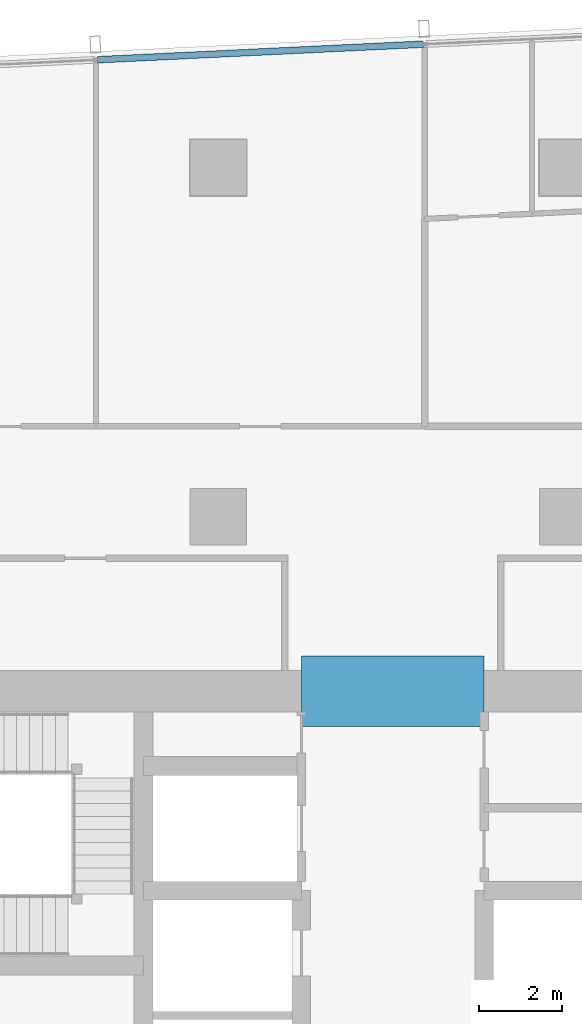
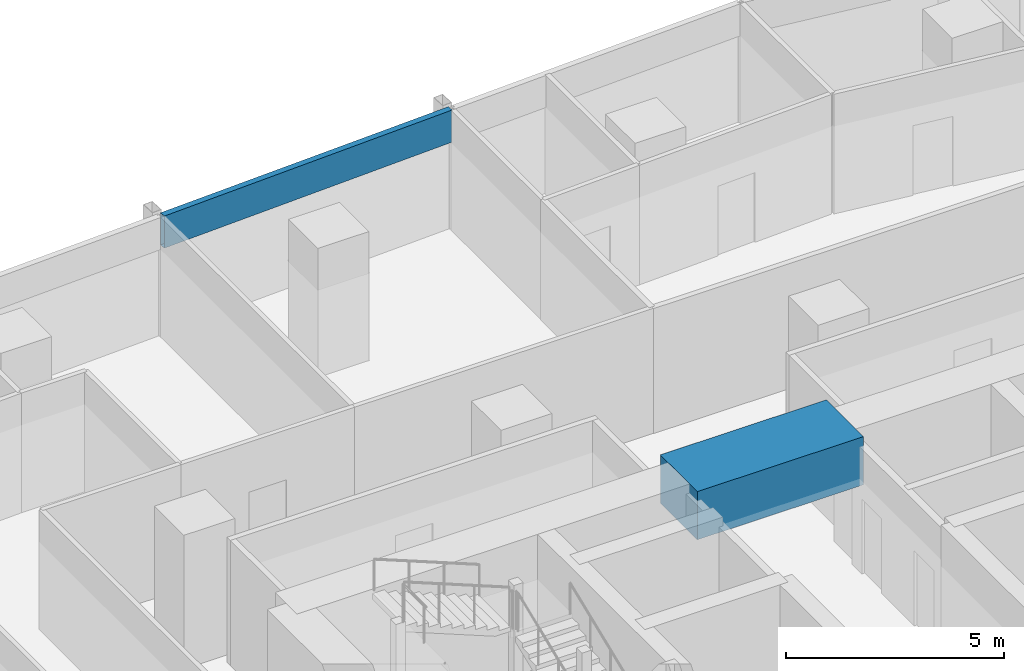
# One storey, part 20 of 38: 1 beam, 1 member, 1 element without a shape of its own.
"""IFC4 building model written with IfcOpenShell, lengths in metres."""

import ifcopenshell
import ifcopenshell.guid

model = None  # the IFC model being written
_history = None  # IfcOwnerHistory: only IFC2X3 demands one
_inside = {}  # id of a spatial element -> (the spatial element, [elements in it])
_under = {}  # id of a project, library or spatial element -> (it, [spatial elements below it])
_declared = {}  # id of a project -> (the project, [libraries it declares])
_typed = {}  # id of a type object -> (the type object, [elements of that type])
_made_of = {}  # id of a material, layer set ... -> (it, [elements and type objects made of it])


def new_model(schema):
    """Start an empty IFC model of exactly this schema.

    Asked for "IFC4X3", IfcOpenShell would pick the latest addendum, in which some entities
    have other attributes; the version numbers below select the first issue.
    IFC2X3 requires an IfcOwnerHistory on every rooted entity: one is made here for all.
    """
    global model, _history
    if schema == "IFC4X3":
        model = ifcopenshell.file(schema_version=(4, 3, 0, 0))
    else:
        model = ifcopenshell.file(schema=schema)
    _inside.clear()
    _under.clear()
    _declared.clear()
    _typed.clear()
    _made_of.clear()
    _history = None
    if model.schema == "IFC2X3":
        org = make("IfcOrganization", Name="unknown")
        user = make(
            "IfcPersonAndOrganization",
            ThePerson=make("IfcPerson", FamilyName="unknown"),
            TheOrganization=org,
        )
        app = make(
            "IfcApplication",
            ApplicationDeveloper=org,
            Version="unknown",
            ApplicationFullName="unknown",
            ApplicationIdentifier="unknown",
        )
        _history = make(
            "IfcOwnerHistory",
            OwningUser=user,
            OwningApplication=app,
            ChangeAction="ADDED",
            CreationDate=0,
        )
    return model


def make(cls, **values):
    """One entity of the class cls with the attributes given. An attribute that is None is left unset."""
    return model.create_entity(
        cls, **{name: value for name, value in values.items() if value is not None}
    )


def rooted(cls, **values):
    """An entity with a GlobalId (a new one), such as an element, a storey or a relation."""
    return make(cls, GlobalId=ifcopenshell.guid.new(), OwnerHistory=_history, **values)


def si_unit(unit_type, name, prefix=None):
    """IfcSIUnit, for example si_unit("LENGTHUNIT", "METRE", prefix="MILLI")."""
    return make("IfcSIUnit", UnitType=unit_type, Prefix=prefix, Name=name)


def assignment(units):
    """IfcUnitAssignment: the units of a project."""
    return None if units is None else make("IfcUnitAssignment", Units=units)


def point(xyz):
    """IfcCartesianPoint."""
    return None if xyz is None else make("IfcCartesianPoint", Coordinates=xyz)


def direction(xyz):
    """IfcDirection."""
    return None if xyz is None else make("IfcDirection", DirectionRatios=xyz)


def frame(location, z_axis=None, x_axis=None):
    """IfcAxis2Placement3D, a coordinate frame: its origin and axes. An axis left out is left unset."""
    return make(
        "IfcAxis2Placement3D",
        Location=point(location),
        Axis=direction(z_axis),
        RefDirection=direction(x_axis),
    )


def frame_2d(location, x_axis=None):
    """IfcAxis2Placement2D, a coordinate frame in the plane: its origin and x axis."""
    return make(
        "IfcAxis2Placement2D", Location=point(location), RefDirection=direction(x_axis)
    )


def origin():
    """The frame at (0, 0, 0) with its axes left unset."""
    return frame((0.0, 0.0, 0.0))


def origin_2d():
    """The frame at (0, 0) in the plane with its x axis left unset."""
    return frame_2d((0.0, 0.0))


def place(relative_to, where):
    """IfcLocalPlacement: puts the frame where relative to a parent placement (None: the world)."""
    return make(
        "IfcLocalPlacement", PlacementRelTo=relative_to, RelativePlacement=where
    )


def context(
    kind, dimensions, precision=None, world=None, true_north=None, identifier=None
):
    """IfcGeometricRepresentationContext, for example the 3D "Model" context."""
    return make(
        "IfcGeometricRepresentationContext",
        ContextIdentifier=identifier,
        ContextType=kind,
        CoordinateSpaceDimension=dimensions,
        Precision=precision,
        WorldCoordinateSystem=world,
        TrueNorth=true_north,
    )


def subcontext(parent, identifier, kind, view, scale=None):
    """IfcGeometricRepresentationSubContext, for example "Body" below "Model"."""
    return make(
        "IfcGeometricRepresentationSubContext",
        ContextIdentifier=identifier,
        ContextType=kind,
        ParentContext=parent,
        TargetScale=scale,
        TargetView=view,
    )


def project(units=None, contexts=None):
    """IfcProject with its units and contexts."""
    return rooted(
        "IfcProject",
        Name="project",
        RepresentationContexts=contexts,
        UnitsInContext=assignment(units),
    )


def spatial(cls, under=None, at=None, **own):
    """A site, building, storey or space (cls), placed at a placement, below another one or the project."""
    s = rooted(cls, ObjectPlacement=at, **own)
    if under is not None:
        _under.setdefault(under.id(), (under, []))[1].append(s)
    return s


def profile(cls, at=None, kind="AREA", **sizes):
    """A parametric profile (cls). Its sizes go by their IFC names, for example OverallWidth=200.0."""
    return make(cls, ProfileType=kind, Position=at, **sizes)


def rectangle(**sizes):
    """IfcRectangleProfileDef."""
    return profile("IfcRectangleProfileDef", **sizes)


def hollow_rectangle(**sizes):
    """IfcRectangleHollowProfileDef."""
    return profile("IfcRectangleHollowProfileDef", **sizes)


def extrude(swept, where, along, depth):
    """IfcExtrudedAreaSolid: the profile swept, set in the frame where, extruded along a direction by depth."""
    return make(
        "IfcExtrudedAreaSolid",
        SweptArea=swept,
        Position=where,
        ExtrudedDirection=direction(along),
        Depth=depth,
    )


def shape(context_of_items, identifier, shape_type, items):
    """IfcShapeRepresentation: the items that make up one representation, for example the "Body"."""
    return make(
        "IfcShapeRepresentation",
        ContextOfItems=context_of_items,
        RepresentationIdentifier=identifier,
        RepresentationType=shape_type,
        Items=items,
    )


def material(Name=None, Category=None):
    """IfcMaterial."""
    return make("IfcMaterial", Name=Name, Category=Category)


def material_profile(
    of_material, cross_section, Name=None, Category=None, Priority=None
):
    """IfcMaterialProfile: a cross section and its material."""
    return make(
        "IfcMaterialProfile",
        Name=Name,
        Material=of_material,
        Profile=cross_section,
        Priority=Priority,
        Category=Category,
    )


def profile_set(profiles, Name=None, composite=None):
    """IfcMaterialProfileSet."""
    return make(
        "IfcMaterialProfileSet",
        Name=Name,
        MaterialProfiles=profiles,
        CompositeProfile=composite,
    )


def made_of(thing, what):
    """Note that an element or type object is made of a material, layer set ...; save() writes the relation."""
    if what is not None:
        _made_of.setdefault(what.id(), (what, []))[1].append(thing)
    return thing


def type_object(cls, material=None, **own):
    """A type object (cls), such as IfcWallType, which elements share."""
    return made_of(rooted(cls, **own), material)


def element(
    cls,
    number,
    at=None,
    inside=None,
    cuts=None,
    type_object=None,
    material=None,
    context=None,
    identifier="Body",
    shape_type=None,
    held_by="IfcProductDefinitionShape",
    body=None,
    shapes=None,
    **own,
):
    """One element of the class cls, such as IfcWall. Its Tag is "e" and its number.

    at: its placement. inside: the storey or other place that contains it. cuts: it is an
    opening in that element (IfcRelVoidsElement). A single representation is given by context,
    identifier, shape_type and body (its items); several are given by shapes. held_by: the class
    of the entity that holds the representations. save() writes the other relations.
    """
    e = rooted(cls, Tag="e%d" % number, ObjectPlacement=at, **own)
    if body is not None:
        shapes = [shape(context, identifier, shape_type, body)]
    if shapes is not None:
        e.Representation = make(held_by, Representations=shapes)
    if inside is not None:
        _inside.setdefault(inside.id(), (inside, []))[1].append(e)
    if cuts is not None:
        rooted(
            "IfcRelVoidsElement", RelatingBuildingElement=cuts, RelatedOpeningElement=e
        )
    if type_object is not None:
        _typed.setdefault(type_object.id(), (type_object, []))[1].append(e)
    return made_of(e, material)


def aggregate(whole, parts):
    """IfcRelAggregates: a whole, such as a stair, and the parts it consists of."""
    return rooted("IfcRelAggregates", RelatingObject=whole, RelatedObjects=parts)


def save(model, path):
    """Write the relations noted so far, then the file.

    IfcRelAggregates (storeys below a building ...), IfcRelContainedInSpatialStructure (elements
    in a storey), IfcRelDefinesByType, IfcRelAssociatesMaterial and IfcRelDeclares: one each for
    every whole, place, type object, material and project.
    """
    for whole, parts in _under.values():
        aggregate(whole, parts)
    for where, things in _inside.values():
        rooted(
            "IfcRelContainedInSpatialStructure",
            RelatedElements=things,
            RelatingStructure=where,
        )
    for kind, things in _typed.values():
        rooted("IfcRelDefinesByType", RelatedObjects=things, RelatingType=kind)
    for what, things in _made_of.values():
        rooted("IfcRelAssociatesMaterial", RelatedObjects=things, RelatingMaterial=what)
    for by, libraries in _declared.values():
        rooted("IfcRelDeclares", RelatingContext=by, RelatedDefinitions=libraries)
    model.write(path)


model = new_model("IFC4")

# Units and contexts
model_context = context("Model", 3, precision=1e-05, world=origin(), true_north=direction((0.0, 1.0)))
body_context = subcontext(model_context, "Body", "Model", "MODEL_VIEW")
ifc_project = project(units=[si_unit("LENGTHUNIT", "METRE"), si_unit("AREAUNIT", "SQUARE_METRE"), si_unit("VOLUMEUNIT", "CUBIC_METRE"), si_unit("PLANEANGLEUNIT", "RADIAN"), si_unit("MASSUNIT", "GRAM", prefix="KILO")], contexts=[model_context])

# Site, building, storey
site_placement = place(None, origin())
site = spatial("IfcSite", under=ifc_project, at=site_placement, CompositionType="ELEMENT")
building_placement = place(site_placement, origin())
building = spatial("IfcBuilding", under=site, at=building_placement, Name="Rekha Terrace Tower", CompositionType="ELEMENT")
storey_placement = place(building_placement, frame((0.0, 0.0, 198.949951171875)))
storey = spatial("IfcBuildingStorey", under=building, at=storey_placement, Name="L50", CompositionType="ELEMENT", Elevation=198.949951171875)

# Curtain wall, member
ifc_material_1 = material(Name="Aluminium framing", Category="aluminium")
curtain_wall_type = type_object("IfcCurtainWallType", Name="CW3 north unitised glazing", PredefinedType="USERDEFINED", material=ifc_material_1)
curtain_wall_placement = place(storey_placement, origin())
curtain_wall = element("IfcCurtainWall", 1, at=curtain_wall_placement, inside=storey, type_object=curtain_wall_type, Name="CW3 unitised curtain wall", ObjectType="UNITISED CURTAIN WALL", PredefinedType="USERDEFINED")
ifc_material_2 = material(Name="Insulated aluminium spandrel box", Category="aluminium")
ifc_material_profile_1 = material_profile(ifc_material_2, hollow_rectangle(XDim=0.159912109375, YDim=0.89990234375, WallThickness=0.0029296875, at=origin_2d()), Name="AL SPANDREL BOX 160x900")
ifc_profile_set_1 = profile_set([ifc_material_profile_1], Name="Insulated aluminium spandrel box")
member_type = type_object("IfcMemberType", Name="CW3 spandrel transom 160 x 900", PredefinedType="USERDEFINED", material=ifc_profile_set_1)
member_placement = place(storey_placement, frame((38.53515625, 61.76953125, 3.050048828125), z_axis=(-0.998859252362, -0.047751376635, 0.0), x_axis=(0.047751376635, -0.998859252362, 0.0)))
member = element("IfcMember", 2, at=member_placement, type_object=member_type, Name="CW3 spandrel transom 2", ObjectType="TRANSOM", PredefinedType="USERDEFINED", context=body_context, shape_type="SweptSolid", body=[
    extrude(hollow_rectangle(XDim=0.159912109375, YDim=0.89990234375, WallThickness=0.0029296875, at=origin_2d()), origin(), (0.0, 0.0, 1.0), 7.84814453125),
])
aggregate(curtain_wall, [member])

# Beam
ifc_material_3 = material(Name="Concrete M60", Category="concrete")
ifc_material_profile_2 = material_profile(ifc_material_3, rectangle(XDim=1.699951171875, YDim=1.35009765625, at=origin_2d()), Name="RC 1700x1350")
ifc_profile_set_2 = profile_set([ifc_material_profile_2], Name="Concrete M60")
beam_type = type_object("IfcBeamType", Name="LB3A 1700x1350 diagonally reinforced coupling beam", PredefinedType="LINTEL", material=ifc_profile_set_2)
beam_placement = place(storey_placement, frame((35.60009765625, 46.199951171875, 3.074951171875), z_axis=(1.0, 0.0, 0.0), x_axis=(0.0, 1.0, 0.0)))
element("IfcBeam", 3, at=beam_placement, inside=storey, type_object=beam_type, Name="Coupling beam LB3A N L50", PredefinedType="LINTEL", context=body_context, shape_type="SweptSolid", body=[
    extrude(rectangle(XDim=1.699951171875, YDim=1.35009765625, at=origin_2d()), origin(), (0.0, 0.0, 1.0), 4.39990234375),
])

save(model, "model.ifc")
